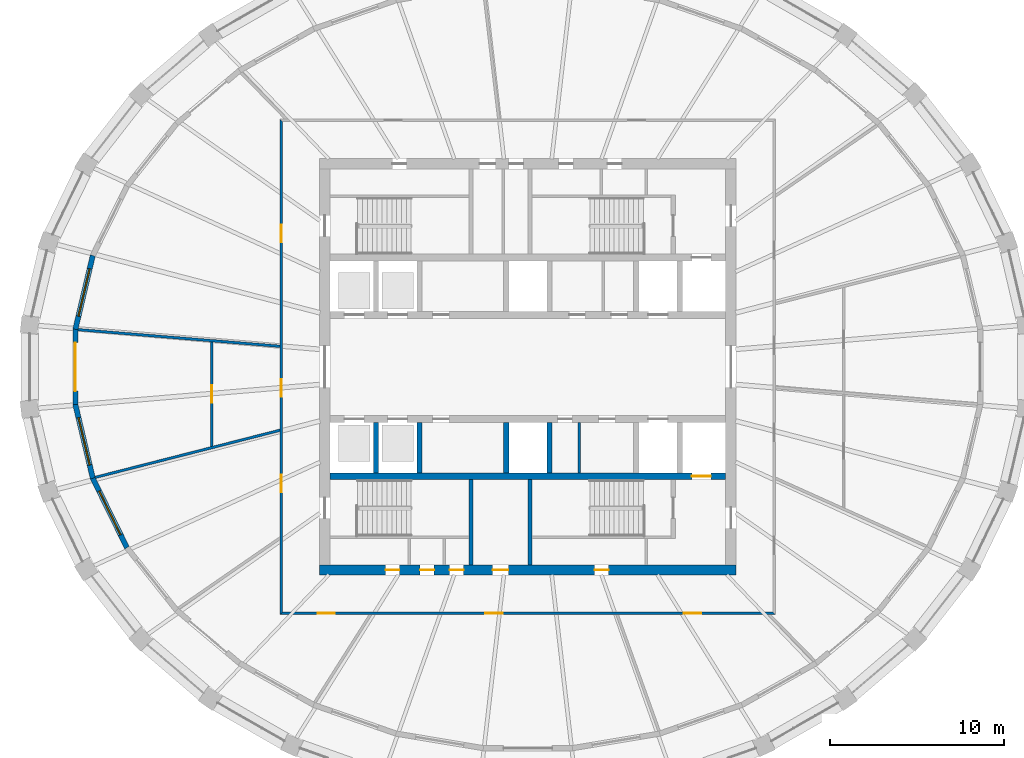
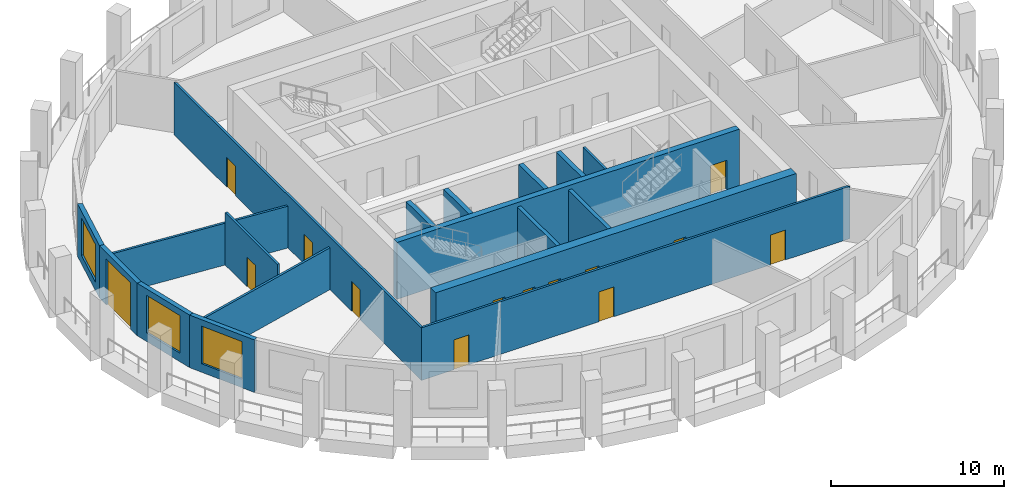
# One storey, part 3 of 10: 18 walls, 14 doors, 3 windows, 17 openings.
"""IFC4 building model written with IfcOpenShell, lengths in metres."""

from ifc_helpers import new_model, si_unit, direction, frame, frame_2d, origin, place, context, subcontext, project, spatial, polyline, rectangle, outline, extrude, material, layer, layer_set, type_object, element, fill, save


model = new_model("IFC4")

# Units and contexts
model_context = context("Model", 3, precision=1e-05, world=origin(), true_north=direction((0.0, 1.0)))
body_context = subcontext(model_context, "Body", "Model", "MODEL_VIEW")
ifc_project = project(units=[si_unit("LENGTHUNIT", "METRE"), si_unit("AREAUNIT", "SQUARE_METRE"), si_unit("VOLUMEUNIT", "CUBIC_METRE"), si_unit("PLANEANGLEUNIT", "RADIAN"), si_unit("MASSUNIT", "GRAM", prefix="KILO")], contexts=[model_context])

# Site, building, storey
site_placement = place(None, origin())
site = spatial("IfcSite", under=ifc_project, at=site_placement, CompositionType="ELEMENT")
building_placement = place(site_placement, origin())
building = spatial("IfcBuilding", under=site, at=building_placement, Name="Halqa Exchange Tower", CompositionType="ELEMENT")
storey_placement = place(building_placement, frame((0.0, 0.0, 308.300048828125)))
storey = spatial("IfcBuildingStorey", under=building, at=storey_placement, Name="L72", CompositionType="ELEMENT", Elevation=308.300048828125)

# Wall, opening, door
ifc_material_1 = material(Name="Gypsum board")
ifc_layer_1 = layer(ifc_material_1, 0.14990234375)
ifc_layer_set_1 = layer_set([ifc_layer_1], Name="Gypsum board")
wall_type_1 = type_object("IfcWallType", Name="Acoustic partition 150", PredefinedType="PARTITIONING", material=ifc_layer_set_1)
wall_1_placement = place(storey_placement, frame((-18.199951171875, -4.592529296875, 0.0), z_axis=(0.0, 0.0, 1.0), x_axis=(0.0, 1.0, 0.0)))
wall_1 = element("IfcWall", 1, at=wall_1_placement, inside=storey, type_object=wall_type_1, Name="L72-PWL-003", PredefinedType="PARTITIONING", context=body_context, shape_type="SweptSolid", body=[
    extrude(outline(polyline([(0.0380859375, -0.074951171875), (2.0322265625, -0.074951171875), (4.0263671875, -0.074951171875), (6.0205078125, -0.074951171875), (6.032470703125, 0.069580078125), (6.032470703125, 0.074951171875), (4.5244140625, 0.074951171875), (3.01611328125, 0.074951171875), (1.508056640625, 0.074951171875), (0.0, 0.074951171875), (0.0, 0.07470703125), (0.0380859375, -0.074951171875)])), origin(), (0.0, 0.0, 1.0), 3.699951171875),
])
opening_1_placement = place(wall_1_placement, frame((2.5224609375, 0.0, 0.0)))
opening_1 = element("IfcOpeningElement", 2, at=opening_1_placement, cuts=wall_1, Name="Opening 22-13", PredefinedType="OPENING", context=body_context, shape_type="SweptSolid", body=[
    extrude(rectangle(XDim=1.0, YDim=2.10009765625, at=frame_2d((0.5, 1.050048828125))), frame((0.0, 0.0869140625, 0.0), z_axis=(0.0, -1.0, 0.0), x_axis=(1.0, 0.0, 0.0)), (0.0, 0.0, 1.0), 0.173828125),
])
ifc_material_2 = material(Name="Timber door leaf", Category="wood")
door_type_1 = type_object("IfcDoorType", Name="Acoustic door 1000 x 2100", OperationType="SINGLE_SWING_LEFT", PredefinedType="DOOR", material=ifc_material_2)
door_1_placement = place(opening_1_placement, frame((1.0, 0.0, 0.0), z_axis=(0.0, 0.0, 1.0), x_axis=(-1.0, 0.0, 0.0)))
door_1 = element("IfcDoor", 3, at=door_1_placement, inside=storey, type_object=door_type_1, Name="L72-IDR-013", OperationType="SINGLE_SWING_LEFT", OverallHeight=2.10009765625, OverallWidth=1.0, PredefinedType="DOOR", context=body_context, shape_type="SweptSolid", body=[
    extrude(rectangle(XDim=1.0, YDim=2.10009765625, at=frame_2d((0.5, 1.050048828125))), frame((0.0, 0.02490234375, 0.0), z_axis=(0.0, -1.0, 0.0), x_axis=(1.0, 0.0, 0.0)), (0.0, 0.0, 1.0), 0.050048828125),
])
fill(opening_1, door_1)

# Walls
ifc_material_3 = material(Name="Fire-rated gypsum board")
ifc_layer_2 = layer(ifc_material_3, 0.14990234375)
ifc_layer_set_2 = layer_set([ifc_layer_2], Name="Fire-rated gypsum board")
wall_type_2 = type_object("IfcWallType", Name="Fire partition EI 60 150", PredefinedType="PARTITIONING", material=ifc_layer_set_2)
wall_2_placement = place(storey_placement, frame((-25.91015625, 2.14453125, 0.0), z_axis=(0.0, 0.0, 1.0), x_axis=(0.996625584757, -0.082081933503, 0.0)))
element("IfcWall", 4, at=wall_2_placement, inside=storey, type_object=wall_type_2, Name="L72-PWL-001", PredefinedType="PARTITIONING", context=body_context, shape_type="SweptSolid", body=[
    extrude(outline(polyline([(11.68017578125, -0.074951171875), (11.68017578125, -0.068359375), (11.66845703125, 0.074951171875), (9.724365234375, 0.074951171875), (7.7802734375, 0.074951171875), (5.836181640625, 0.074951171875), (3.89208984375, 0.074951171875), (1.947998046875, 0.074951171875), (0.00390625, 0.074951171875), (0.0, 0.049072265625), (0.0, -0.074951171875), (1.94677734375, -0.074951171875), (3.893310546875, -0.074951171875), (5.840087890625, -0.074951171875), (7.786865234375, -0.074951171875), (9.7333984375, -0.074951171875), (11.68017578125, -0.074951171875)])), origin(), (0.0, 0.0, 1.0), 2.947021484375),
])
wall_3_placement = place(storey_placement, frame((-24.918701171875, -6.365478515625, 0.0), z_axis=(0.0, 0.0, 1.0), x_axis=(0.968945878768, 0.247272893819, 0.0)))
element("IfcWall", 5, at=wall_3_placement, inside=storey, type_object=wall_type_2, Name="L72-PWL-002", PredefinedType="PARTITIONING", context=body_context, shape_type="SweptSolid", body=[
    extrude(outline(polyline([(0.014892578125, -0.074951171875), (1.83984375, -0.074951171875), (3.6650390625, -0.074951171875), (5.490234375, -0.074951171875), (7.3154296875, -0.074951171875), (9.140625, -0.074951171875), (10.965576171875, -0.074951171875), (11.00390625, 0.07470703125), (11.00390625, 0.074951171875), (9.017333984375, 0.074951171875), (7.030517578125, 0.074951171875), (7.030517578125, 0.074462890625), (7.028076171875, 0.074951171875), (5.27099609375, 0.074951171875), (3.51416015625, 0.074951171875), (1.757080078125, 0.074951171875), (0.0, 0.074951171875), (0.0, -0.004638671875), (0.014892578125, -0.074951171875)])), origin(), (0.0, 0.0, 1.0), 2.947021484375),
])

# Wall, openings, doors
wall_4_placement = place(storey_placement, frame((-14.199951171875, -14.27490234375, 0.0), z_axis=(0.0, 0.0, 1.0), x_axis=(0.0, 1.0, 0.0)))
wall_4 = element("IfcWall", 6, at=wall_4_placement, inside=storey, type_object=wall_type_2, Name="L72-PWL-005", PredefinedType="PARTITIONING", context=body_context, shape_type="SweptSolid", body=[
    extrude(outline(polyline([(0.14990234375, -0.074951171875), (2.033203125, -0.074951171875), (3.91650390625, -0.074951171875), (5.7998046875, -0.074951171875), (7.683349609375, -0.074951171875), (9.566650390625, -0.074951171875), (11.449951171875, -0.074951171875), (13.333251953125, -0.074951171875), (15.216552734375, -0.074951171875), (17.099853515625, -0.074951171875), (18.983154296875, -0.074951171875), (20.866455078125, -0.074951171875), (22.75, -0.074951171875), (24.63330078125, -0.074951171875), (26.5166015625, -0.074951171875), (28.39990234375, -0.074951171875), (28.5498046875, 0.074951171875), (28.5498046875, 0.074951171875), (26.646484375, 0.074951171875), (24.7431640625, 0.074951171875), (22.83984375, 0.074951171875), (20.9365234375, 0.074951171875), (19.033203125, 0.074951171875), (17.1298828125, 0.074951171875), (15.2265625, 0.074951171875), (13.3232421875, 0.074951171875), (11.419921875, 0.074951171875), (9.5166015625, 0.074951171875), (7.61328125, 0.074951171875), (5.7099609375, 0.074951171875), (3.806640625, 0.074951171875), (1.9033203125, 0.074951171875), (0.0, 0.074951171875), (0.14990234375, -0.074951171875)])), origin(), (0.0, 0.0, 1.0), 3.699951171875),
])
opening_2_placement = place(wall_4_placement, frame((21.465087890625, 0.0, 0.0)))
opening_2 = element("IfcOpeningElement", 7, at=opening_2_placement, cuts=wall_4, Name="Opening 22-01", PredefinedType="OPENING", context=body_context, shape_type="SweptSolid", body=[
    extrude(rectangle(XDim=1.0, YDim=2.10009765625, at=frame_2d((0.5, 1.050048828125))), frame((0.0, 0.0869140625, 0.0), z_axis=(0.0, -1.0, 0.0), x_axis=(1.0, 0.0, 0.0)), (0.0, 0.0, 1.0), 0.173828125),
])
opening_3_placement = place(wall_4_placement, frame((12.550048828125, 0.0, 0.0)))
opening_3 = element("IfcOpeningElement", 8, at=opening_3_placement, cuts=wall_4, Name="Opening 22-02", PredefinedType="OPENING", context=body_context, shape_type="SweptSolid", body=[
    extrude(rectangle(XDim=1.0, YDim=2.10009765625, at=frame_2d((0.5, 1.050048828125))), frame((0.0, 0.0869140625, 0.0), z_axis=(0.0, -1.0, 0.0), x_axis=(1.0, 0.0, 0.0)), (0.0, 0.0, 1.0), 0.173828125),
])
opening_4_placement = place(wall_4_placement, frame((7.054931640625, 0.0, 0.0)))
opening_4 = element("IfcOpeningElement", 9, at=opening_4_placement, cuts=wall_4, Name="Opening 22-03", PredefinedType="OPENING", context=body_context, shape_type="SweptSolid", body=[
    extrude(rectangle(XDim=1.0, YDim=2.10009765625, at=frame_2d((0.5, 1.050048828125))), frame((0.0, 0.0869140625, 0.0), z_axis=(0.0, -1.0, 0.0), x_axis=(1.0, 0.0, 0.0)), (0.0, 0.0, 1.0), 0.173828125),
])
ifc_material_4 = material(Name="Steel fire door leaf", Category="steel")
door_type_2 = type_object("IfcDoorType", Name="Fire door FD30S 1000 x 2100", OperationType="SINGLE_SWING_LEFT", PredefinedType="DOOR", material=ifc_material_4)
door_2_placement = place(opening_2_placement, origin())
door_2 = element("IfcDoor", 10, at=door_2_placement, inside=storey, type_object=door_type_2, Name="L72-IDR-001", OperationType="SINGLE_SWING_LEFT", OverallHeight=2.10009765625, OverallWidth=1.0, PredefinedType="DOOR", context=body_context, shape_type="SweptSolid", body=[
    extrude(rectangle(XDim=1.0, YDim=2.10009765625, at=frame_2d((0.5, 1.050048828125))), frame((0.0, 0.02490234375, 0.0), z_axis=(0.0, -1.0, 0.0), x_axis=(1.0, 0.0, 0.0)), (0.0, 0.0, 1.0), 0.050048828125),
])
fill(opening_2, door_2)
door_3_placement = place(opening_3_placement, origin())
door_3 = element("IfcDoor", 11, at=door_3_placement, inside=storey, type_object=door_type_2, Name="L72-IDR-002", OperationType="SINGLE_SWING_LEFT", OverallHeight=2.10009765625, OverallWidth=1.0, PredefinedType="DOOR", context=body_context, shape_type="SweptSolid", body=[
    extrude(rectangle(XDim=1.0, YDim=2.10009765625, at=frame_2d((0.5, 1.050048828125))), frame((0.0, 0.02490234375, 0.0), z_axis=(0.0, -1.0, 0.0), x_axis=(1.0, 0.0, 0.0)), (0.0, 0.0, 1.0), 0.050048828125),
])
fill(opening_3, door_3)
door_4_placement = place(opening_4_placement, origin())
door_4 = element("IfcDoor", 12, at=door_4_placement, inside=storey, type_object=door_type_2, Name="L72-IDR-003", OperationType="SINGLE_SWING_LEFT", OverallHeight=2.10009765625, OverallWidth=1.0, PredefinedType="DOOR", context=body_context, shape_type="SweptSolid", body=[
    extrude(rectangle(XDim=1.0, YDim=2.10009765625, at=frame_2d((0.5, 1.050048828125))), frame((0.0, 0.02490234375, 0.0), z_axis=(0.0, -1.0, 0.0), x_axis=(1.0, 0.0, 0.0)), (0.0, 0.0, 1.0), 0.050048828125),
])
fill(opening_4, door_4)

wall_5_placement = place(storey_placement, frame((-14.27490234375, -14.199951171875, 0.0), z_axis=(0.0, 0.0, 1.0), x_axis=(1.0, 0.0, 0.0)))
wall_5 = element("IfcWall", 13, at=wall_5_placement, inside=storey, type_object=wall_type_2, Name="L72-PWL-006", PredefinedType="PARTITIONING", context=body_context, shape_type="SweptSolid", body=[
    extrude(outline(polyline([(28.5498046875, -0.074951171875), (28.5498046875, -0.074951171875), (28.39990234375, 0.074951171875), (26.5166015625, 0.074951171875), (24.63330078125, 0.074951171875), (22.75, 0.074951171875), (20.866455078125, 0.074951171875), (18.983154296875, 0.074951171875), (17.099853515625, 0.074951171875), (15.216552734375, 0.074951171875), (13.333251953125, 0.074951171875), (11.449951171875, 0.074951171875), (9.566650390625, 0.074951171875), (7.683349609375, 0.074951171875), (5.7998046875, 0.074951171875), (3.91650390625, 0.074951171875), (2.033203125, 0.074951171875), (0.14990234375, 0.074951171875), (0.0, -0.074951171875), (1.9033203125, -0.074951171875), (3.806640625, -0.074951171875), (5.7099609375, -0.074951171875), (7.61328125, -0.074951171875), (9.5166015625, -0.074951171875), (11.419921875, -0.074951171875), (13.3232421875, -0.074951171875), (15.2265625, -0.074951171875), (17.1298828125, -0.074951171875), (19.033203125, -0.074951171875), (20.9365234375, -0.074951171875), (22.83984375, -0.074951171875), (24.7431640625, -0.074951171875), (26.646484375, -0.074951171875), (28.5498046875, -0.074951171875)])), origin(), (0.0, 0.0, 1.0), 3.699951171875),
])
opening_5_placement = place(wall_5_placement, frame((2.1650390625, 0.0, 0.0)))
opening_5 = element("IfcOpeningElement", 14, at=opening_5_placement, cuts=wall_5, Name="Opening 22-04", PredefinedType="OPENING", context=body_context, shape_type="SweptSolid", body=[
    extrude(rectangle(XDim=1.0, YDim=2.10009765625, at=frame_2d((0.5, 1.050048828125))), frame((0.0, 0.0869140625, 0.0), z_axis=(0.0, -1.0, 0.0), x_axis=(1.0, 0.0, 0.0)), (0.0, 0.0, 1.0), 0.173828125),
])
opening_6_placement = place(wall_5_placement, frame((11.824951171875, 0.0, 0.0)))
opening_6 = element("IfcOpeningElement", 15, at=opening_6_placement, cuts=wall_5, Name="Opening 22-05", PredefinedType="OPENING", context=body_context, shape_type="SweptSolid", body=[
    extrude(rectangle(XDim=1.0, YDim=2.10009765625, at=frame_2d((0.5, 1.050048828125))), frame((0.0, 0.0869140625, 0.0), z_axis=(0.0, -1.0, 0.0), x_axis=(1.0, 0.0, 0.0)), (0.0, 0.0, 1.0), 0.173828125),
])
opening_7_placement = place(wall_5_placement, frame((23.2548828125, 0.0, 0.0)))
opening_7 = element("IfcOpeningElement", 16, at=opening_7_placement, cuts=wall_5, Name="Opening 22-06", PredefinedType="OPENING", context=body_context, shape_type="SweptSolid", body=[
    extrude(rectangle(XDim=1.0, YDim=2.10009765625, at=frame_2d((0.5, 1.050048828125))), frame((0.0, 0.0869140625, 0.0), z_axis=(0.0, -1.0, 0.0), x_axis=(1.0, 0.0, 0.0)), (0.0, 0.0, 1.0), 0.173828125),
])
door_5_placement = place(opening_5_placement, frame((1.0, 0.0, 0.0), z_axis=(0.0, 0.0, 1.0), x_axis=(-1.0, 0.0, 0.0)))
door_5 = element("IfcDoor", 17, at=door_5_placement, inside=storey, type_object=door_type_2, Name="L72-IDR-004", OperationType="SINGLE_SWING_RIGHT", OverallHeight=2.10009765625, OverallWidth=1.0, PredefinedType="DOOR", context=body_context, shape_type="SweptSolid", body=[
    extrude(rectangle(XDim=1.0, YDim=2.10009765625, at=frame_2d((0.5, 1.050048828125))), frame((0.0, 0.02490234375, 0.0), z_axis=(0.0, -1.0, 0.0), x_axis=(1.0, 0.0, 0.0)), (0.0, 0.0, 1.0), 0.050048828125),
])
fill(opening_5, door_5)
door_6_placement = place(opening_6_placement, frame((1.0, 0.0, 0.0), z_axis=(0.0, 0.0, 1.0), x_axis=(-1.0, 0.0, 0.0)))
door_6 = element("IfcDoor", 18, at=door_6_placement, inside=storey, type_object=door_type_2, Name="L72-IDR-005", OperationType="SINGLE_SWING_LEFT", OverallHeight=2.10009765625, OverallWidth=1.0, PredefinedType="DOOR", context=body_context, shape_type="SweptSolid", body=[
    extrude(rectangle(XDim=1.0, YDim=2.10009765625, at=frame_2d((0.5, 1.050048828125))), frame((0.0, 0.02490234375, 0.0), z_axis=(0.0, -1.0, 0.0), x_axis=(1.0, 0.0, 0.0)), (0.0, 0.0, 1.0), 0.050048828125),
])
fill(opening_6, door_6)
door_7_placement = place(opening_7_placement, frame((1.0, 0.0, 0.0), z_axis=(0.0, 0.0, 1.0), x_axis=(-1.0, 0.0, 0.0)))
door_7 = element("IfcDoor", 19, at=door_7_placement, inside=storey, type_object=door_type_2, Name="L72-IDR-006", OperationType="SINGLE_SWING_LEFT", OverallHeight=2.10009765625, OverallWidth=1.0, PredefinedType="DOOR", context=body_context, shape_type="SweptSolid", body=[
    extrude(rectangle(XDim=1.0, YDim=2.10009765625, at=frame_2d((0.5, 1.050048828125))), frame((0.0, 0.02490234375, 0.0), z_axis=(0.0, -1.0, 0.0), x_axis=(1.0, 0.0, 0.0)), (0.0, 0.0, 1.0), 0.050048828125),
])
fill(opening_7, door_7)

# Walls
ifc_layer_3 = layer(ifc_material_1, 0.14990234375)
ifc_layer_set_3 = layer_set([ifc_layer_3], Name="Gypsum board")
wall_type_3 = type_object("IfcWallType", Name="Penthouse riser wall 150 gypsum", PredefinedType="PARTITIONING", material=ifc_layer_set_3)
wall_6_placement = place(storey_placement, frame((2.949951171875, -6.10009765625, 0.0), z_axis=(0.0, 0.0, 1.0), x_axis=(0.0, 1.0, 0.0)))
element("IfcWall", 20, at=wall_6_placement, inside=storey, type_object=wall_type_3, Name="Freed bay partition SE2.950", PredefinedType="PARTITIONING", context=body_context, shape_type="SweptSolid", body=[
    extrude(rectangle(XDim=2.900146484375, YDim=0.14990234375, at=frame_2d((1.4501953125, 0.0))), origin(), (0.0, 0.0, 1.0), 3.699951171875),
])
ifc_material_5 = material(Name="Concrete C60/75", Category="concrete")
ifc_layer_4 = layer(ifc_material_5, 0.300048828125)
ifc_layer_set_4 = layer_set([ifc_layer_4], Name="Concrete C60/75")
wall_type_4 = type_object("IfcWallType", Name="RC core wall 300", PredefinedType="SHEAR", material=ifc_layer_set_4)
for number, where, z_axis, x_axis, name in (
    (21, (-8.75, -6.10009765625, 0.0), (0.0, 0.0, 1.0), (0.0, 1.0, 0.0), "Shaft divider S1"),
    (22, (-6.25, -6.10009765625, 0.0), (0.0, 0.0, 1.0), (0.0, 1.0, 0.0), "Shaft divider S2"),
    (23, (-1.25, -6.10009765625, 0.0), (0.0, 0.0, 1.0), (0.0, 1.0, 0.0), "Shaft divider S4"),
    (24, (1.25, -6.10009765625, 0.0), (0.0, 0.0, 1.0), (0.0, 1.0, 0.0), "Shaft divider S5"),
):
    element("IfcWall", number, at=place(storey_placement, frame(where, z_axis=z_axis, x_axis=x_axis)), inside=storey, type_object=wall_type_4, Name=name, PredefinedType="SHEAR", context=body_context, shape_type="SweptSolid", body=[
        extrude(rectangle(XDim=2.900146484375, YDim=0.300048828125, at=frame_2d((1.4501953125, 0.0))), origin(), (0.0, 0.0, 1.0), 4.0),
    ])

# Wall, opening, door
ifc_layer_5 = layer(ifc_material_5, 0.39990234375)
ifc_layer_set_5 = layer_set([ifc_layer_5], Name="Concrete C60/75")
wall_type_5 = type_object("IfcWallType", Name="RC core wall 400 C60/75", PredefinedType="SHEAR", material=ifc_layer_set_5)
wall_7_placement = place(storey_placement, frame((-11.39990234375, -6.300048828125, 0.0), z_axis=(0.0, 0.0, 1.0), x_axis=(1.0, 0.0, 0.0)))
wall_7 = element("IfcWall", 25, at=wall_7_placement, inside=storey, type_object=wall_type_5, Name="Lift row back wall S", PredefinedType="SHEAR", context=body_context, shape_type="SweptSolid", body=[
    extrude(rectangle(XDim=22.7998046875, YDim=0.39990234375, at=frame_2d((11.39990234375, 0.0))), origin(), (0.0, 0.0, 1.0), 4.0),
])
opening_8_placement = place(wall_7_placement, frame((20.85009765625, 0.0, 0.0)))
opening_8 = element("IfcOpeningElement", 26, at=opening_8_placement, cuts=wall_7, Name="Opening LD-FF2-T22", PredefinedType="OPENING", context=body_context, shape_type="SweptSolid", body=[
    extrude(rectangle(XDim=1.10009765625, YDim=2.10009765625, at=frame_2d((0.550048828125, 1.050048828125))), frame((0.0, 0.2119140625, 0.0), z_axis=(0.0, -1.0, 0.0), x_axis=(1.0, 0.0, 0.0)), (0.0, 0.0, 1.0), 0.423828125),
])
ifc_material_6 = material(Name="Stainless steel", Category="steel")
door_type_3 = type_object("IfcDoorType", Name="Lift landing door 1100 x 2100", OperationType="SLIDING_TO_LEFT", PredefinedType="DOOR", material=ifc_material_6)
door_8_placement = place(opening_8_placement, origin())
door_8 = element("IfcDoor", 27, at=door_8_placement, inside=storey, type_object=door_type_3, Name="Lift landing door FF2", OperationType="SLIDING_TO_LEFT", OverallHeight=2.10009765625, OverallWidth=1.10009765625, PredefinedType="DOOR", context=body_context, shape_type="SweptSolid", body=[
    extrude(rectangle(XDim=1.10009765625, YDim=2.10009765625, at=frame_2d((0.550048828125, 1.050048828125))), frame((0.0, 0.02490234375, 0.0), z_axis=(0.0, -1.0, 0.0), x_axis=(1.0, 0.0, 0.0)), (0.0, 0.0, 1.0), 0.050048828125),
])
fill(opening_8, door_8)

# Wall, openings, doors
ifc_layer_6 = layer(ifc_material_5, 0.60009765625)
ifc_layer_set_6 = layer_set([ifc_layer_6], Name="Concrete C60/75")
wall_type_6 = type_object("IfcWallType", Name="RC core wall 600 C60/75", PredefinedType="SHEAR", material=ifc_layer_set_6)
wall_8_placement = place(storey_placement, frame((-12.0, -11.699951171875, 0.0), z_axis=(0.0, 0.0, 1.0), x_axis=(1.0, 0.0, 0.0)))
wall_8 = element("IfcWall", 28, at=wall_8_placement, inside=storey, type_object=wall_type_6, Name="Core wall south", PredefinedType="SHEAR", context=body_context, shape_type="SweptSolid", body=[
    extrude(rectangle(XDim=24.0, YDim=0.60009765625, at=frame_2d((12.0, 0.0))), origin(), (0.0, 0.0, 1.0), 4.0),
])
opening_9_placement = place(wall_8_placement, frame((9.97509765625, 0.0, 0.0)))
opening_9 = element("IfcOpeningElement", 29, at=opening_9_placement, cuts=wall_8, Name="Opening T22-C22", PredefinedType="OPENING", context=body_context, shape_type="SweptSolid", body=[
    extrude(rectangle(XDim=0.89990234375, YDim=2.10009765625, at=frame_2d((0.449951171875, 1.050048828125))), frame((0.0, 0.31201171875, 0.0), z_axis=(0.0, -1.0, 0.0), x_axis=(1.0, 0.0, 0.0)), (0.0, 0.0, 1.0), 0.6240234375),
])
opening_10_placement = place(wall_8_placement, frame((3.800048828125, 0.0, 0.0)))
opening_10 = element("IfcOpeningElement", 30, at=opening_10_placement, cuts=wall_8, Name="Opening T22-C23", PredefinedType="OPENING", context=body_context, shape_type="SweptSolid", body=[
    extrude(rectangle(XDim=0.800048828125, YDim=2.10009765625, at=frame_2d((0.39990234375, 1.050048828125))), frame((0.0, 0.31201171875, 0.0), z_axis=(0.0, -1.0, 0.0), x_axis=(1.0, 0.0, 0.0)), (0.0, 0.0, 1.0), 0.6240234375),
])
opening_11_placement = place(wall_8_placement, frame((5.800048828125, 0.0, 0.0)))
opening_11 = element("IfcOpeningElement", 31, at=opening_11_placement, cuts=wall_8, Name="Opening T22-C24", PredefinedType="OPENING", context=body_context, shape_type="SweptSolid", body=[
    extrude(rectangle(XDim=0.800048828125, YDim=2.10009765625, at=frame_2d((0.39990234375, 1.050048828125))), frame((0.0, 0.31201171875, 0.0), z_axis=(0.0, -1.0, 0.0), x_axis=(1.0, 0.0, 0.0)), (0.0, 0.0, 1.0), 0.6240234375),
])
opening_12_placement = place(wall_8_placement, frame((7.5, 0.0, 0.0)))
opening_12 = element("IfcOpeningElement", 32, at=opening_12_placement, cuts=wall_8, Name="Opening T22-C25", PredefinedType="OPENING", context=body_context, shape_type="SweptSolid", body=[
    extrude(rectangle(XDim=0.800048828125, YDim=2.10009765625, at=frame_2d((0.39990234375, 1.050048828125))), frame((0.0, 0.31201171875, 0.0), z_axis=(0.0, -1.0, 0.0), x_axis=(1.0, 0.0, 0.0)), (0.0, 0.0, 1.0), 0.6240234375),
])
opening_13_placement = place(wall_8_placement, frame((15.85009765625, 0.0, 0.0)))
opening_13 = element("IfcOpeningElement", 33, at=opening_13_placement, cuts=wall_8, Name="Opening T22-C26", PredefinedType="OPENING", context=body_context, shape_type="SweptSolid", body=[
    extrude(rectangle(XDim=0.800048828125, YDim=2.10009765625, at=frame_2d((0.39990234375, 1.050048828125))), frame((0.0, 0.31201171875, 0.0), z_axis=(0.0, -1.0, 0.0), x_axis=(1.0, 0.0, 0.0)), (0.0, 0.0, 1.0), 0.6240234375),
])
ifc_material_7 = material(Name="Timber fire door leaf", Category="wood")
door_type_4 = type_object("IfcDoorType", Name="Core room door FD30 900 x 2100", OperationType="SINGLE_SWING_LEFT", PredefinedType="DOOR", material=ifc_material_7)
door_9_placement = place(opening_9_placement, origin())
door_9 = element("IfcDoor", 34, at=door_9_placement, inside=storey, type_object=door_type_4, Name="Core room door", OperationType="SINGLE_SWING_LEFT", OverallHeight=2.10009765625, OverallWidth=0.89990234375, PredefinedType="DOOR", context=body_context, shape_type="SweptSolid", body=[
    extrude(rectangle(XDim=0.89990234375, YDim=2.10009765625, at=frame_2d((0.449951171875, 1.050048828125))), frame((0.0, 0.02490234375, 0.0), z_axis=(0.0, -1.0, 0.0), x_axis=(1.0, 0.0, 0.0)), (0.0, 0.0, 1.0), 0.050048828125),
])
fill(opening_9, door_9)
door_type_5 = type_object("IfcDoorType", Name="Riser door FD60 800 x 2100", OperationType="SINGLE_SWING_LEFT", PredefinedType="DOOR", material=ifc_material_4)
door_10_placement = place(opening_10_placement, origin())
door_10 = element("IfcDoor", 35, at=door_10_placement, inside=storey, type_object=door_type_5, Name="Core room door", OperationType="SINGLE_SWING_LEFT", OverallHeight=2.10009765625, OverallWidth=0.800048828125, PredefinedType="DOOR", context=body_context, shape_type="SweptSolid", body=[
    extrude(rectangle(XDim=0.800048828125, YDim=2.10009765625, at=frame_2d((0.39990234375, 1.050048828125))), frame((0.0, 0.02490234375, 0.0), z_axis=(0.0, -1.0, 0.0), x_axis=(1.0, 0.0, 0.0)), (0.0, 0.0, 1.0), 0.050048828125),
])
fill(opening_10, door_10)
door_11_placement = place(opening_11_placement, origin())
door_11 = element("IfcDoor", 36, at=door_11_placement, inside=storey, type_object=door_type_5, Name="Core room door", OperationType="SINGLE_SWING_RIGHT", OverallHeight=2.10009765625, OverallWidth=0.800048828125, PredefinedType="DOOR", context=body_context, shape_type="SweptSolid", body=[
    extrude(rectangle(XDim=0.800048828125, YDim=2.10009765625, at=frame_2d((0.39990234375, 1.050048828125))), frame((0.0, 0.02490234375, 0.0), z_axis=(0.0, -1.0, 0.0), x_axis=(1.0, 0.0, 0.0)), (0.0, 0.0, 1.0), 0.050048828125),
])
fill(opening_11, door_11)
door_12_placement = place(opening_12_placement, origin())
door_12 = element("IfcDoor", 37, at=door_12_placement, inside=storey, type_object=door_type_5, Name="Core room door", OperationType="SINGLE_SWING_RIGHT", OverallHeight=2.10009765625, OverallWidth=0.800048828125, PredefinedType="DOOR", context=body_context, shape_type="SweptSolid", body=[
    extrude(rectangle(XDim=0.800048828125, YDim=2.10009765625, at=frame_2d((0.39990234375, 1.050048828125))), frame((0.0, 0.02490234375, 0.0), z_axis=(0.0, -1.0, 0.0), x_axis=(1.0, 0.0, 0.0)), (0.0, 0.0, 1.0), 0.050048828125),
])
fill(opening_12, door_12)
door_13_placement = place(opening_13_placement, origin())
door_13 = element("IfcDoor", 38, at=door_13_placement, inside=storey, type_object=door_type_5, Name="Core room door", OperationType="SINGLE_SWING_LEFT", OverallHeight=2.10009765625, OverallWidth=0.800048828125, PredefinedType="DOOR", context=body_context, shape_type="SweptSolid", body=[
    extrude(rectangle(XDim=0.800048828125, YDim=2.10009765625, at=frame_2d((0.39990234375, 1.050048828125))), frame((0.0, 0.02490234375, 0.0), z_axis=(0.0, -1.0, 0.0), x_axis=(1.0, 0.0, 0.0)), (0.0, 0.0, 1.0), 0.050048828125),
])
fill(opening_13, door_13)

# Walls
ifc_material_8 = material(Name="Concrete C30/37", Category="concrete")
ifc_layer_7 = layer(ifc_material_8, 0.25)
ifc_layer_set_7 = layer_set([ifc_layer_7], Name="Concrete C30/37")
wall_type_7 = type_object("IfcWallType", Name="RC stair wall 250 C30/37", PredefinedType="SHEAR", material=ifc_layer_set_7)
for number, where, z_axis, x_axis, name in (
    (39, (-3.27490234375, -11.39990234375, 0.0), (0.0, 0.0, 1.0), (0.0, 1.0, 0.0), "Stair ST1 east wall S"),
    (40, (0.125, -11.39990234375, 0.0), (0.0, 0.0, 1.0), (0.0, 1.0, 0.0), "Stair ST2 west wall S"),
):
    element("IfcWall", number, at=place(storey_placement, frame(where, z_axis=z_axis, x_axis=x_axis)), inside=storey, type_object=wall_type_7, Name=name, PredefinedType="SHEAR", context=body_context, shape_type="SweptSolid", body=[
        extrude(rectangle(XDim=4.89990234375, YDim=0.25, at=frame_2d((2.449951171875, 0.0))), origin(), (0.0, 0.0, 1.0), 3.699951171875),
    ])

# Wall, opening, window
ifc_material_9 = material(Name="Limestone cladding", Category="masonry")
ifc_layer_8 = layer(ifc_material_9, 0.0400390625)
ifc_material_10 = material(Name="Ventilated cavity")
ifc_layer_9 = layer(ifc_material_10, 0.030029296875, ventilated=True)
ifc_material_11 = material(Name="Mineral wool insulation")
ifc_layer_10 = layer(ifc_material_11, 0.10009765625)
ifc_layer_11 = layer(ifc_material_8, 0.10009765625)
ifc_material_12 = material(Name="Internal plaster")
ifc_layer_12 = layer(ifc_material_12, 0.030029296875)
ifc_layer_set_8 = layer_set([ifc_layer_8, ifc_layer_9, ifc_layer_10, ifc_layer_11, ifc_layer_12], Name="Stone-faced insulated wall 300")
wall_type_8 = type_object("IfcWallType", Name="Stone-faced insulated wall 300", PredefinedType="STANDARD", material=ifc_layer_set_8)
wall_9_placement = place(storey_placement, frame((-25.062744140625, 6.41455078125, 0.0), z_axis=(0.0, 0.0, 1.0), x_axis=(-0.229974411334, -0.973196675977, 0.0)))
wall_9 = element("IfcWall", 41, at=wall_9_placement, inside=storey, type_object=wall_type_8, Name="Glass-line wall 15", PredefinedType="STANDARD", context=body_context, shape_type="SweptSolid", body=[
    extrude(outline(polyline([(-0.016845703125, -0.14990234375), (4.3828125, -0.14990234375), (4.34765625, 0.14990234375), (0.016845703125, 0.14990234375), (-0.016845703125, -0.14990234375)])), origin(), (0.0, 0.0, 1.0), 3.699951171875),
])
opening_14_placement = place(wall_9_placement, frame((0.78271484375, 0.0, 0.60009765625)))
opening_14 = element("IfcOpeningElement", 42, at=opening_14_placement, cuts=wall_9, Name="Opening W-F4-15", PredefinedType="OPENING", context=body_context, shape_type="SweptSolid", body=[
    extrude(rectangle(XDim=2.800048828125, YDim=2.64990234375, at=frame_2d((1.39990234375, 1.324951171875))), frame((0.0, 0.162109375, 0.0), z_axis=(0.0, -1.0, 0.0), x_axis=(1.0, 0.0, 0.0)), (0.0, 0.0, 1.0), 0.323974609375),
])
ifc_material_13 = material(Name="Clear low-emissivity glass in aluminium frame", Category="aluminium")
window_type = type_object("IfcWindowType", Name="Fixed clear glazed window 2800 x 2650", PartitioningType="DOUBLE_PANEL_VERTICAL", PredefinedType="WINDOW", material=ifc_material_13)
window_1_placement = place(opening_14_placement, origin())
window_1 = element("IfcWindow", 43, at=window_1_placement, inside=storey, type_object=window_type, Name="Window 4", OverallHeight=2.64990234375, OverallWidth=2.800048828125, PartitioningType="DOUBLE_PANEL_VERTICAL", PredefinedType="WINDOW", context=body_context, shape_type="SweptSolid", body=[
    extrude(rectangle(XDim=2.800048828125, YDim=2.64990234375, at=frame_2d((1.39990234375, 1.324951171875))), frame((0.0, 0.030029296875, 0.0), z_axis=(0.0, -1.0, 0.0), x_axis=(1.0, 0.0, 0.0)), (0.0, 0.0, 1.0), 0.06005859375),
])
fill(opening_14, window_1)

# Wall, opening, door
wall_10_placement = place(storey_placement, frame((-26.066650390625, 2.166259765625, 0.0), z_axis=(0.0, 0.0, 1.0), x_axis=(0.0, -1.0, 0.0)))
wall_10 = element("IfcWall", 44, at=wall_10_placement, inside=storey, type_object=wall_type_8, Name="Glass-line wall 16", PredefinedType="STANDARD", context=body_context, shape_type="SweptSolid", body=[
    extrude(outline(polyline([(-0.017578125, -0.14990234375), (4.35009765625, -0.14990234375), (4.31494140625, 0.14990234375), (0.017578125, 0.14990234375), (-0.017578125, -0.14990234375)])), origin(), (0.0, 0.0, 1.0), 3.699951171875),
])
opening_15_placement = place(wall_10_placement, frame((0.76611328125, 0.0, 0.0)))
opening_15 = element("IfcOpeningElement", 45, at=opening_15_placement, cuts=wall_10, Name="Opening LG-F4-04", PredefinedType="OPENING", context=body_context, shape_type="SweptSolid", body=[
    extrude(rectangle(XDim=2.800048828125, YDim=3.25, at=frame_2d((1.39990234375, 1.625))), frame((0.0, 0.162109375, 0.0), z_axis=(0.0, -1.0, 0.0), x_axis=(1.0, 0.0, 0.0)), (0.0, 0.0, 1.0), 0.323974609375),
])
door_type_6 = type_object("IfcDoorType", Name="Glazed sliding loggia door 2800 x 3250", OperationType="DOUBLE_DOOR_SLIDING", PredefinedType="DOOR", material=ifc_material_13)
door_14_placement = place(opening_15_placement, origin())
door_14 = element("IfcDoor", 46, at=door_14_placement, inside=storey, type_object=door_type_6, Name="Loggia door 4", OperationType="DOUBLE_DOOR_SLIDING", OverallHeight=3.25, OverallWidth=2.800048828125, PredefinedType="DOOR", context=body_context, shape_type="SweptSolid", body=[
    extrude(rectangle(XDim=2.800048828125, YDim=3.25, at=frame_2d((1.39990234375, 1.625))), frame((0.0, 0.02490234375, 0.0), z_axis=(0.0, -1.0, 0.0), x_axis=(1.0, 0.0, 0.0)), (0.0, 0.0, 1.0), 0.050048828125),
])
fill(opening_15, door_14)

# Wall, opening, window
wall_11_placement = place(storey_placement, frame((-26.066650390625, -2.166259765625, 0.0), z_axis=(0.0, 0.0, 1.0), x_axis=(0.229974411334, -0.973196675977, 0.0)))
wall_11 = element("IfcWall", 47, at=wall_11_placement, inside=storey, type_object=wall_type_8, Name="Glass-line wall 17", PredefinedType="STANDARD", context=body_context, shape_type="SweptSolid", body=[
    extrude(outline(polyline([(-0.017578125, -0.14990234375), (4.382080078125, -0.14990234375), (4.348388671875, 0.14990234375), (0.017578125, 0.14990234375), (-0.017578125, -0.14990234375)])), origin(), (0.0, 0.0, 1.0), 3.699951171875),
])
opening_16_placement = place(wall_11_placement, frame((0.78271484375, 0.0, 0.60009765625)))
opening_16 = element("IfcOpeningElement", 48, at=opening_16_placement, cuts=wall_11, Name="Opening W-F4-17", PredefinedType="OPENING", context=body_context, shape_type="SweptSolid", body=[
    extrude(rectangle(XDim=2.800048828125, YDim=2.64990234375, at=frame_2d((1.39990234375, 1.324951171875))), frame((0.0, 0.162109375, 0.0), z_axis=(0.0, -1.0, 0.0), x_axis=(1.0, 0.0, 0.0)), (0.0, 0.0, 1.0), 0.323974609375),
])
window_2_placement = place(opening_16_placement, origin())
window_2 = element("IfcWindow", 49, at=window_2_placement, inside=storey, type_object=window_type, Name="Window 4", OverallHeight=2.64990234375, OverallWidth=2.800048828125, PartitioningType="DOUBLE_PANEL_VERTICAL", PredefinedType="WINDOW", context=body_context, shape_type="SweptSolid", body=[
    extrude(rectangle(XDim=2.800048828125, YDim=2.64990234375, at=frame_2d((1.39990234375, 1.324951171875))), frame((0.0, 0.030029296875, 0.0), z_axis=(0.0, -1.0, 0.0), x_axis=(1.0, 0.0, 0.0)), (0.0, 0.0, 1.0), 0.06005859375),
])
fill(opening_16, window_2)

wall_12_placement = place(storey_placement, frame((-25.062744140625, -6.41455078125, 0.0), z_axis=(0.0, 0.0, 1.0), x_axis=(0.441509050872, -0.897256796017, 0.0)))
wall_12 = element("IfcWall", 50, at=wall_12_placement, inside=storey, type_object=wall_type_8, Name="Glass-line wall 18", PredefinedType="STANDARD", context=body_context, shape_type="SweptSolid", body=[
    extrude(outline(polyline([(-0.016845703125, -0.14990234375), (4.47412109375, -0.14990234375), (4.44189453125, 0.14990234375), (0.016845703125, 0.14990234375), (-0.016845703125, -0.14990234375)])), origin(), (0.0, 0.0, 1.0), 3.699951171875),
])
opening_17_placement = place(wall_12_placement, frame((0.8291015625, 0.0, 0.60009765625)))
opening_17 = element("IfcOpeningElement", 51, at=opening_17_placement, cuts=wall_12, Name="Opening W-F4-18", PredefinedType="OPENING", context=body_context, shape_type="SweptSolid", body=[
    extrude(rectangle(XDim=2.800048828125, YDim=2.64990234375, at=frame_2d((1.39990234375, 1.324951171875))), frame((0.0, 0.162109375, 0.0), z_axis=(0.0, -1.0, 0.0), x_axis=(1.0, 0.0, 0.0)), (0.0, 0.0, 1.0), 0.323974609375),
])
window_3_placement = place(opening_17_placement, origin())
window_3 = element("IfcWindow", 52, at=window_3_placement, inside=storey, type_object=window_type, Name="Window 4", OverallHeight=2.64990234375, OverallWidth=2.800048828125, PartitioningType="DOUBLE_PANEL_VERTICAL", PredefinedType="WINDOW", context=body_context, shape_type="SweptSolid", body=[
    extrude(rectangle(XDim=2.800048828125, YDim=2.64990234375, at=frame_2d((1.39990234375, 1.324951171875))), frame((0.0, 0.030029296875, 0.0), z_axis=(0.0, -1.0, 0.0), x_axis=(1.0, 0.0, 0.0)), (0.0, 0.0, 1.0), 0.06005859375),
])
fill(opening_17, window_3)

save(model, "model.ifc")
